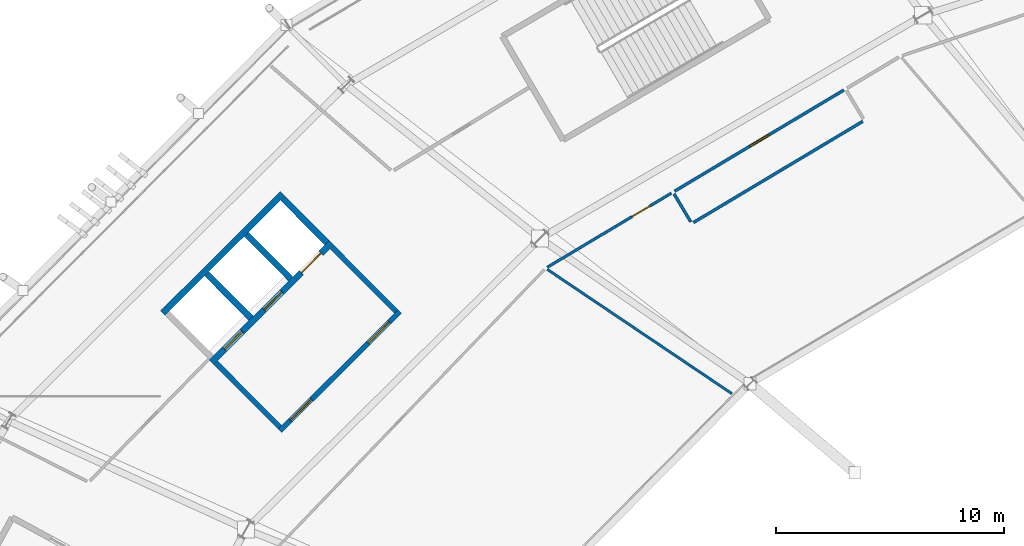
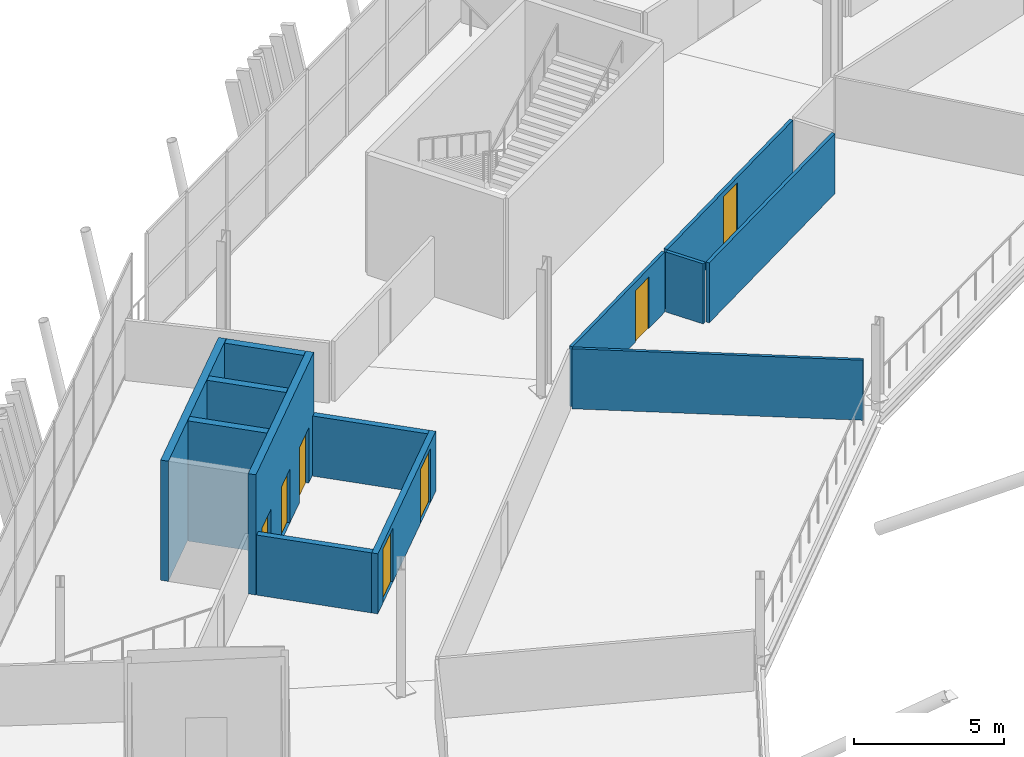
# One storey, part 120 of 168: 13 walls, 7 doors, 7 openings.
"""IFC4 building model written with IfcOpenShell, lengths in metres."""

from ifc_helpers import new_model, si_unit, direction, frame, frame_2d, origin, place, context, subcontext, project, spatial, rectangle, extrude, material, layer, layer_set, type_object, element, fill, save


model = new_model("IFC4")

# Units and contexts
model_context = context("Model", 3, precision=1e-05, world=origin(), true_north=direction((0.0, 1.0)))
body_context = subcontext(model_context, "Body", "Model", "MODEL_VIEW")
ifc_project = project(units=[si_unit("LENGTHUNIT", "METRE"), si_unit("AREAUNIT", "SQUARE_METRE"), si_unit("VOLUMEUNIT", "CUBIC_METRE"), si_unit("PLANEANGLEUNIT", "RADIAN"), si_unit("MASSUNIT", "GRAM", prefix="KILO")], contexts=[model_context])

# Site, building, storey
site_placement = place(None, origin())
site = spatial("IfcSite", under=ifc_project, at=site_placement, CompositionType="ELEMENT")
building_placement = place(site_placement, origin())
building = spatial("IfcBuilding", under=site, at=building_placement, Name="Zlatoyarsky Gate Stadium", CompositionType="ELEMENT")
storey_placement = place(building_placement, frame((0.0, 0.0, 15.60009765625)))
storey = spatial("IfcBuildingStorey", under=building, at=storey_placement, Name="L03", CompositionType="ELEMENT", Elevation=15.60009765625)

# Walls
ifc_material_1 = material(Name="Concrete C40/50", Category="concrete")
ifc_layer_1 = layer(ifc_material_1, 0.27001953125)
ifc_layer_set_1 = layer_set([ifc_layer_1], Name="Concrete C40/50")
wall_type_1 = type_object("IfcWallType", Name="CONCRETE LIFT SHAFT SHEAR WALL 270", PredefinedType="SHEAR", material=ifc_layer_set_1)
wall_1_placement = place(storey_placement, frame((42.452880859375, 125.443603515625, 0.0), z_axis=(0.0, 0.0, 1.0), x_axis=(-0.708902567846, -0.705306422274, 0.0)))
element("IfcWall", 1, at=wall_1_placement, inside=storey, type_object=wall_type_1, Name="C2 L03 lift shaft rear wall", PredefinedType="SHEAR", context=body_context, shape_type="SweptSolid", body=[
    extrude(rectangle(XDim=7.39990234375, YDim=0.27001953125, at=frame_2d((3.699951171875, 0.0))), origin(), (0.0, 0.0, 1.0), 4.89990234375),
])
for number, where, z_axis, x_axis, name in (
    (2, (42.45947265625, 125.24560546875, 0.0), (0.0, 0.0, 1.0), (0.705322518225, -0.708886553183, 0.0), "C2 L03 lift shaft left wall"),
    (3, (40.87158203125, 123.665771484375, 0.0), (0.0, 0.0, 1.0), (0.705322518225, -0.708886553183, 0.0), "C2 L03 lift shaft divider 1"),
    (4, (39.134765625, 121.937744140625, 0.0), (0.0, 0.0, 1.0), (0.705322518225, -0.708886553183, 0.0), "C2 L03 lift shaft divider 2"),
):
    element("IfcWall", number, at=place(storey_placement, frame(where, z_axis=z_axis, x_axis=x_axis)), inside=storey, type_object=wall_type_1, Name=name, PredefinedType="SHEAR", context=body_context, shape_type="SweptSolid", body=[
        extrude(rectangle(XDim=2.739990234375, YDim=0.27001953125, at=frame_2d((1.3701171875, 0.0))), origin(), (0.0, 0.0, 1.0), 4.89990234375),
    ])

# Wall, openings, doors
wall_2_placement = place(storey_placement, frame((44.590087890625, 123.295654296875, 0.0), z_axis=(0.0, 0.0, 1.0), x_axis=(-0.708918979457, -0.705289926602, 0.0)))
wall_2 = element("IfcWall", 5, at=wall_2_placement, inside=storey, type_object=wall_type_1, Name="C2 L03 lift landing front wall", PredefinedType="SHEAR", context=body_context, shape_type="SweptSolid", body=[
    extrude(rectangle(XDim=7.400146484375, YDim=0.27001953125, at=frame_2d((3.7001953125, 0.0))), origin(), (0.0, 0.0, 1.0), 4.89990234375),
])
opening_1_placement = place(wall_2_placement, frame((0.64990234375, 0.0, 0.0)))
opening_1 = element("IfcOpeningElement", 6, at=opening_1_placement, cuts=wall_2, Name="Opening LD-FL-02-L03", PredefinedType="OPENING", context=body_context, shape_type="SweptSolid", body=[
    extrude(rectangle(XDim=1.199951171875, YDim=2.25, at=frame_2d((0.60009765625, 1.125))), frame((0.0, 0.14501953125, 0.0), z_axis=(0.0, -1.0, 0.0), x_axis=(1.0, 0.0, 0.0)), (0.0, 0.0, 1.0), 0.2900390625),
])
opening_2_placement = place(wall_2_placement, frame((3.050048828125, 0.0, 0.0)))
opening_2 = element("IfcOpeningElement", 7, at=opening_2_placement, cuts=wall_2, Name="Opening LD-LF-03-L03", PredefinedType="OPENING", context=body_context, shape_type="SweptSolid", body=[
    extrude(rectangle(XDim=1.10009765625, YDim=2.199951171875, at=frame_2d((0.550048828125, 1.10009765625))), frame((0.0, 0.14501953125, 0.0), z_axis=(0.0, -1.0, 0.0), x_axis=(1.0, 0.0, 0.0)), (0.0, 0.0, 1.0), 0.2900390625),
])
opening_3_placement = place(wall_2_placement, frame((5.5, 0.0, 0.0)))
opening_3 = element("IfcOpeningElement", 8, at=opening_3_placement, cuts=wall_2, Name="Opening LD-LF-04-L03", PredefinedType="OPENING", context=body_context, shape_type="SweptSolid", body=[
    extrude(rectangle(XDim=1.10009765625, YDim=2.199951171875, at=frame_2d((0.550048828125, 1.10009765625))), frame((0.0, 0.14501953125, 0.0), z_axis=(0.0, -1.0, 0.0), x_axis=(1.0, 0.0, 0.0)), (0.0, 0.0, 1.0), 0.2900390625),
])
ifc_material_2 = material(Name="Powder-coated steel fire door", Category="steel")
door_type_1 = type_object("IfcDoorType", Name="STAINLESS LIFT LANDING SLIDING DOOR 1100X2200", OperationType="DOUBLE_DOOR_SLIDING", PredefinedType="DOOR", material=ifc_material_2)
door_1_placement = place(opening_2_placement, origin())
door_1 = element("IfcDoor", 9, at=door_1_placement, inside=storey, type_object=door_type_1, Name="Lift LF-03 L03 sliding landing door", OperationType="DOUBLE_DOOR_SLIDING", OverallHeight=2.199951171875, OverallWidth=1.10009765625, PredefinedType="DOOR", context=body_context, shape_type="SweptSolid", body=[
    extrude(rectangle(XDim=1.10009765625, YDim=2.199951171875, at=frame_2d((0.550048828125, 1.10009765625))), frame((0.0, 0.02490234375, 0.0), z_axis=(0.0, -1.0, 0.0), x_axis=(1.0, 0.0, 0.0)), (0.0, 0.0, 1.0), 0.050048828125),
])
fill(opening_2, door_1)
door_2_placement = place(opening_3_placement, origin())
door_2 = element("IfcDoor", 10, at=door_2_placement, inside=storey, type_object=door_type_1, Name="Lift LF-04 L03 sliding landing door", OperationType="DOUBLE_DOOR_SLIDING", OverallHeight=2.199951171875, OverallWidth=1.10009765625, PredefinedType="DOOR", context=body_context, shape_type="SweptSolid", body=[
    extrude(rectangle(XDim=1.10009765625, YDim=2.199951171875, at=frame_2d((0.550048828125, 1.10009765625))), frame((0.0, 0.02490234375, 0.0), z_axis=(0.0, -1.0, 0.0), x_axis=(1.0, 0.0, 0.0)), (0.0, 0.0, 1.0), 0.050048828125),
])
fill(opening_3, door_2)
door_type_2 = type_object("IfcDoorType", Name="STAINLESS LIFT LANDING SLIDING DOOR 1200X2250", OperationType="DOUBLE_DOOR_SLIDING", PredefinedType="DOOR", material=ifc_material_2)
door_3_placement = place(opening_1_placement, origin())
door_3 = element("IfcDoor", 11, at=door_3_placement, inside=storey, type_object=door_type_2, Name="Lift FL-02 L03 sliding landing door", OperationType="DOUBLE_DOOR_SLIDING", OverallHeight=2.25, OverallWidth=1.199951171875, PredefinedType="DOOR", context=body_context, shape_type="SweptSolid", body=[
    extrude(rectangle(XDim=1.199951171875, YDim=2.25, at=frame_2d((0.60009765625, 1.125))), frame((0.0, 0.02490234375, 0.0), z_axis=(0.0, -1.0, 0.0), x_axis=(1.0, 0.0, 0.0)), (0.0, 0.0, 1.0), 0.050048828125),
])
fill(opening_1, door_3)

# Walls
ifc_material_3 = material(Name="Autoclaved aerated concrete masonry EI 120", Category="masonry")
ifc_layer_2 = layer(ifc_material_3, 0.219970703125)
ifc_layer_set_2 = layer_set([ifc_layer_2], Name="Autoclaved aerated concrete masonry EI 120")
wall_type_2 = type_object("IfcWallType", Name="FIREFIGHTING LOBBY RATED WALL 220", PredefinedType="PARTITIONING", material=ifc_layer_set_2)
for number, where, z_axis, x_axis, name in (
    (12, (44.621337890625, 123.1083984375, 0.0), (0.0, 0.0, 1.0), (0.705294916294, -0.708914015273, 0.0), "C2 L03 firefighting lobby left wall"),
    (13, (39.531494140625, 118.044189453125, 0.0), (0.0, 0.0, 1.0), (0.705294916294, -0.708914015273, 0.0), "C2 L03 firefighting lobby right wall"),
):
    element("IfcWall", number, at=place(storey_placement, frame(where, z_axis=z_axis, x_axis=x_axis)), inside=storey, type_object=wall_type_2, Name=name, PredefinedType="PARTITIONING", context=body_context, shape_type="SweptSolid", body=[
        extrude(rectangle(XDim=3.97998046875, YDim=0.219970703125, at=frame_2d((1.989990234375, 0.0))), origin(), (0.0, 0.0, 1.0), 2.449951171875),
    ])

# Wall, openings, doors
wall_3_placement = place(storey_placement, frame((47.583984375, 120.286376953125, 0.0), z_axis=(0.0, 0.0, 1.0), x_axis=(-0.708902567846, -0.705306422274, 0.0)))
wall_3 = element("IfcWall", 14, at=wall_3_placement, inside=storey, type_object=wall_type_2, Name="C2 L03 firefighting lobby front wall", PredefinedType="PARTITIONING", context=body_context, shape_type="SweptSolid", body=[
    extrude(rectangle(XDim=7.39990234375, YDim=0.219970703125, at=frame_2d((3.699951171875, 0.0))), origin(), (0.0, 0.0, 1.0), 2.449951171875),
])
opening_4_placement = place(wall_3_placement, frame((0.64990234375, 0.0, 0.0)))
opening_4 = element("IfcOpeningElement", 15, at=opening_4_placement, cuts=wall_3, Name="Opening FD-C2-L03-A", PredefinedType="OPENING", context=body_context, shape_type="SweptSolid", body=[
    extrude(rectangle(XDim=1.300048828125, YDim=2.199951171875, at=frame_2d((0.64990234375, 1.10009765625))), frame((0.0, 0.119873046875, 0.0), z_axis=(0.0, -1.0, 0.0), x_axis=(1.0, 0.0, 0.0)), (0.0, 0.0, 1.0), 0.239990234375),
])
opening_5_placement = place(wall_3_placement, frame((5.449951171875, 0.0, 0.0)))
opening_5 = element("IfcOpeningElement", 16, at=opening_5_placement, cuts=wall_3, Name="Opening FD-C2-L03-B", PredefinedType="OPENING", context=body_context, shape_type="SweptSolid", body=[
    extrude(rectangle(XDim=1.300048828125, YDim=2.199951171875, at=frame_2d((0.64990234375, 1.10009765625))), frame((0.0, 0.119873046875, 0.0), z_axis=(0.0, -1.0, 0.0), x_axis=(1.0, 0.0, 0.0)), (0.0, 0.0, 1.0), 0.239990234375),
])
door_type_3 = type_object("IfcDoorType", Name="FIREFIGHTING LOBBY FIRE DOOR 1300X2200", OperationType="NOTDEFINED", PredefinedType="DOOR", material=ifc_material_2)
door_4_placement = place(opening_4_placement, origin())
door_4 = element("IfcDoor", 17, at=door_4_placement, inside=storey, type_object=door_type_3, Name="C2 L03 firefighting lobby fire door FD-C2-L03-A", OperationType="SINGLE_SWING_LEFT", OverallHeight=2.199951171875, OverallWidth=1.300048828125, PredefinedType="DOOR", context=body_context, shape_type="SweptSolid", body=[
    extrude(rectangle(XDim=1.300048828125, YDim=2.199951171875, at=frame_2d((0.64990234375, 1.10009765625))), frame((0.0, 0.02490234375, 0.0), z_axis=(0.0, -1.0, 0.0), x_axis=(1.0, 0.0, 0.0)), (0.0, 0.0, 1.0), 0.050048828125),
])
fill(opening_4, door_4)
door_5_placement = place(opening_5_placement, origin())
door_5 = element("IfcDoor", 18, at=door_5_placement, inside=storey, type_object=door_type_3, Name="C2 L03 firefighting lobby fire door FD-C2-L03-B", OperationType="SINGLE_SWING_RIGHT", OverallHeight=2.199951171875, OverallWidth=1.300048828125, PredefinedType="DOOR", context=body_context, shape_type="SweptSolid", body=[
    extrude(rectangle(XDim=1.300048828125, YDim=2.199951171875, at=frame_2d((0.64990234375, 1.10009765625))), frame((0.0, 0.02490234375, 0.0), z_axis=(0.0, -1.0, 0.0), x_axis=(1.0, 0.0, 0.0)), (0.0, 0.0, 1.0), 0.050048828125),
])
fill(opening_5, door_5)

# Wall
ifc_material_4 = material(Name="Metal-stud gypsum partition", Category="gypsum")
ifc_layer_3 = layer(ifc_material_4, 0.110107421875)
ifc_layer_set_3 = layer_set([ifc_layer_3], Name="Metal-stud gypsum partition")
wall_type_3 = type_object("IfcWallType", Name="KIOSK SERVICE PARTITION 110", PredefinedType="PARTITIONING", material=ifc_layer_set_3)
wall_4_placement = place(storey_placement, frame((62.1201171875, 116.69482421875, 0.0), z_axis=(0.0, 0.0, 1.0), x_axis=(-0.829547337699, 0.558436401497, 0.0)))
element("IfcWall", 19, at=wall_4_placement, inside=storey, type_object=wall_type_3, Name="L03 interior partition PRT-L03-IRD-09", PredefinedType="PARTITIONING", context=body_context, shape_type="SweptSolid", body=[
    extrude(rectangle(XDim=9.74169921875, YDim=0.110107421875, at=frame_2d((4.870849609375, 0.0))), origin(), (0.0, 0.0, 1.0), 2.449951171875),
])

# Wall, opening, door
ifc_layer_4 = layer(ifc_material_4, 0.1201171875)
ifc_layer_set_4 = layer_set([ifc_layer_4], Name="Metal-stud gypsum partition")
wall_type_4 = type_object("IfcWallType", Name="OFFICE AND PRESS PARTITION 120", PredefinedType="PARTITIONING", material=ifc_layer_set_4)
wall_5_placement = place(storey_placement, frame((59.47021484375, 125.470458984375, 0.0), z_axis=(0.0, 0.0, 1.0), x_axis=(-0.858414611169, -0.512956484832, 0.0)))
wall_5 = element("IfcWall", 20, at=wall_5_placement, inside=storey, type_object=wall_type_4, Name="L03 interior partition PRT-L03-ICC-08", PredefinedType="PARTITIONING", context=body_context, shape_type="SweptSolid", body=[
    extrude(rectangle(XDim=6.324462890625, YDim=0.1201171875, at=frame_2d((3.162109375, 0.0))), origin(), (0.0, 0.0, 1.0), 2.449951171875),
])
opening_6_placement = place(wall_5_placement, frame((1.10009765625, 0.0, 0.0)))
opening_6 = element("IfcOpeningElement", 21, at=opening_6_placement, cuts=wall_5, Name="Opening D-L03-415", PredefinedType="OPENING", context=body_context, shape_type="SweptSolid", body=[
    extrude(rectangle(XDim=0.89990234375, YDim=2.10009765625, at=frame_2d((0.449951171875, 1.050048828125))), frame((0.0, 0.070068359375, 0.0), z_axis=(0.0, -1.0, 0.0), x_axis=(1.0, 0.0, 0.0)), (0.0, 0.0, 1.0), 0.14013671875),
])
ifc_material_5 = material(Name="Solid-core oak veneer acoustic door", Category="wood")
door_type_4 = type_object("IfcDoorType", Name="ACOUSTIC INTERIOR DOOR 900X2100", OperationType="NOTDEFINED", PredefinedType="DOOR", material=ifc_material_5)
door_6_placement = place(opening_6_placement, origin())
door_6 = element("IfcDoor", 22, at=door_6_placement, inside=storey, type_object=door_type_4, Name="L03 room door D-L03-415", OperationType="SINGLE_SWING_LEFT", OverallHeight=2.10009765625, OverallWidth=0.89990234375, PredefinedType="DOOR", context=body_context, shape_type="SweptSolid", body=[
    extrude(rectangle(XDim=0.89990234375, YDim=2.10009765625, at=frame_2d((0.449951171875, 1.050048828125))), frame((0.0, 0.02490234375, 0.0), z_axis=(0.0, -1.0, 0.0), x_axis=(1.0, 0.0, 0.0)), (0.0, 0.0, 1.0), 0.050048828125),
])
fill(opening_6, door_6)

ifc_material_6 = material(Name="Moisture-resistant tile-backed partition", Category="gypsum")
ifc_layer_5 = layer(ifc_material_6, 0.1298828125)
ifc_layer_set_5 = layer_set([ifc_layer_5], Name="Moisture-resistant tile-backed partition")
wall_type_5 = type_object("IfcWallType", Name="SANITARY WET ROOM PARTITION 130", PredefinedType="PARTITIONING", material=ifc_layer_set_5)
wall_6_placement = place(storey_placement, frame((67.0244140625, 129.984375, 0.0), z_axis=(0.0, 0.0, 1.0), x_axis=(-0.858420094173, -0.512947309107, 0.0)))
wall_6 = element("IfcWall", 23, at=wall_6_placement, inside=storey, type_object=wall_type_5, Name="L03 interior partition PRT-L03-WC08-F", PredefinedType="PARTITIONING", context=body_context, shape_type="SweptSolid", body=[
    extrude(rectangle(XDim=8.630126953125, YDim=0.1298828125, at=frame_2d((4.31494140625, 0.0))), origin(), (0.0, 0.0, 1.0), 2.449951171875),
])
opening_7_placement = place(wall_6_placement, frame((3.8349609375, 0.0, 0.0)))
opening_7 = element("IfcOpeningElement", 24, at=opening_7_placement, cuts=wall_6, Name="Opening D-L03-410", PredefinedType="OPENING", context=body_context, shape_type="SweptSolid", body=[
    extrude(rectangle(XDim=0.9599609375, YDim=2.239990234375, at=frame_2d((0.47998046875, 1.1201171875))), frame((0.0, 0.074951171875, 0.0), z_axis=(0.0, -1.0, 0.0), x_axis=(1.0, 0.0, 0.0)), (0.0, 0.0, 1.0), 0.14990234375),
])
door_type_5 = type_object("IfcDoorType", Name="ACOUSTIC INTERIOR DOOR 960X2240", OperationType="NOTDEFINED", PredefinedType="DOOR", material=ifc_material_5)
door_7_placement = place(opening_7_placement, origin())
door_7 = element("IfcDoor", 25, at=door_7_placement, inside=storey, type_object=door_type_5, Name="L03 room door D-L03-410", OperationType="SINGLE_SWING_RIGHT", OverallHeight=2.239990234375, OverallWidth=0.9599609375, PredefinedType="DOOR", context=body_context, shape_type="SweptSolid", body=[
    extrude(rectangle(XDim=0.9599609375, YDim=2.239990234375, at=frame_2d((0.47998046875, 1.1201171875))), frame((0.0, 0.02490234375, 0.0), z_axis=(0.0, -1.0, 0.0), x_axis=(1.0, 0.0, 0.0)), (0.0, 0.0, 1.0), 0.050048828125),
])
fill(opening_7, door_7)

# Walls
wall_7_placement = place(storey_placement, frame((67.84521484375, 128.61083984375, 0.0), z_axis=(0.0, 0.0, 1.0), x_axis=(-0.858420094173, -0.512947309107, 0.0)))
element("IfcWall", 26, at=wall_7_placement, inside=storey, type_object=wall_type_5, Name="L03 interior partition PRT-L03-WC08-B", PredefinedType="PARTITIONING", context=body_context, shape_type="SweptSolid", body=[
    extrude(rectangle(XDim=8.630126953125, YDim=0.1298828125, at=frame_2d((4.31494140625, 0.0))), origin(), (0.0, 0.0, 1.0), 2.449951171875),
])
wall_8_placement = place(storey_placement, frame((59.5869140625, 125.44091796875, 0.0), z_axis=(0.0, 0.0, 1.0), x_axis=(0.512887934402, -0.85845557063, 0.0)))
element("IfcWall", 27, at=wall_8_placement, inside=storey, type_object=wall_type_5, Name="L03 interior partition PRT-L03-WC08-R", PredefinedType="PARTITIONING", context=body_context, shape_type="SweptSolid", body=[
    extrude(rectangle(XDim=1.429931640625, YDim=0.1298828125, at=frame_2d((0.71484375, 0.0))), origin(), (0.0, 0.0, 1.0), 2.449951171875),
])

save(model, "model.ifc")
